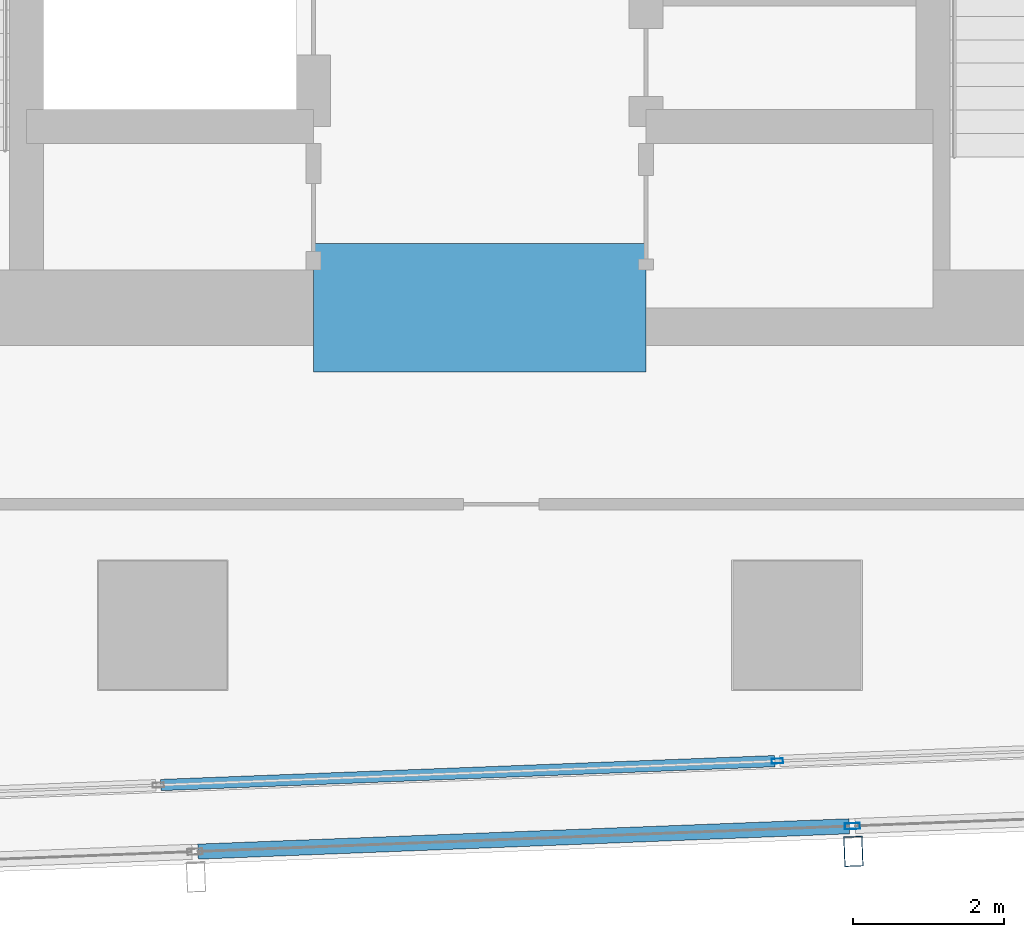
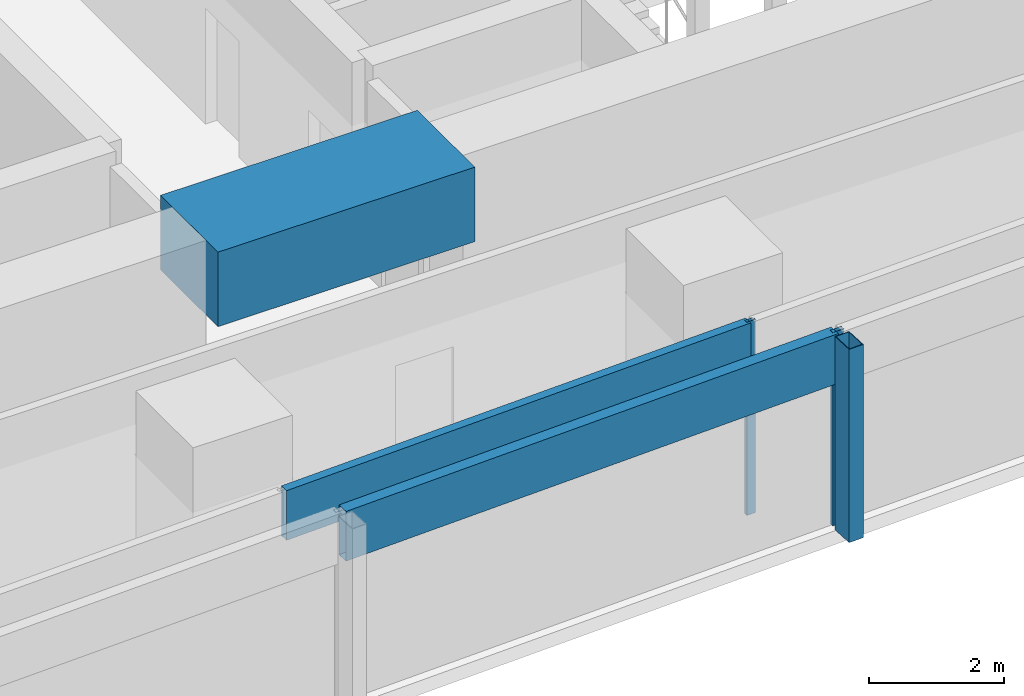
# One storey, part 9 of 40: 5 members, 1 beam, 2 elements without a shape of their own.
"""IFC4 building model written with IfcOpenShell, lengths in metres."""

from ifc_helpers import new_model, si_unit, direction, frame, origin, origin_2d, place, context, subcontext, project, spatial, rectangle, hollow_rectangle, extrude, material, material_profile, profile_set, type_object, element, aggregate, save


model = new_model("IFC4")

# Units and contexts
model_context = context("Model", 3, precision=1e-05, world=origin(), true_north=direction((0.0, 1.0)))
body_context = subcontext(model_context, "Body", "Model", "MODEL_VIEW")
ifc_project = project(units=[si_unit("LENGTHUNIT", "METRE"), si_unit("AREAUNIT", "SQUARE_METRE"), si_unit("VOLUMEUNIT", "CUBIC_METRE"), si_unit("PLANEANGLEUNIT", "RADIAN"), si_unit("MASSUNIT", "GRAM", prefix="KILO")], contexts=[model_context])

# Site, building, storey
site_placement = place(None, origin())
site = spatial("IfcSite", under=ifc_project, at=site_placement, CompositionType="ELEMENT")
building_placement = place(site_placement, origin())
building = spatial("IfcBuilding", under=site, at=building_placement, Name="Rekha Terrace Tower", CompositionType="ELEMENT")
storey_placement = place(building_placement, frame((0.0, 0.0, 106.550048828125)))
storey = spatial("IfcBuildingStorey", under=building, at=storey_placement, Name="L26", CompositionType="ELEMENT", Elevation=106.550048828125)

# Curtain wall, member
ifc_material_1 = material(Name="Aluminium framing", Category="aluminium")
curtain_wall_type_1 = type_object("IfcCurtainWallType", Name="CW2 double skin outer glazing", PredefinedType="USERDEFINED", material=ifc_material_1)
curtain_wall_1_placement = place(storey_placement, origin())
curtain_wall_1 = element("IfcCurtainWall", 1, at=curtain_wall_1_placement, inside=storey, type_object=curtain_wall_type_1, Name="CW2 double skin outer glazing", ObjectType="DOUBLE SKIN OUTER GLAZING", PredefinedType="USERDEFINED")
ifc_material_2 = material(Name="Steel S355 with fluorocarbon finish", Category="steel")
ifc_material_profile_1 = material_profile(ifc_material_2, hollow_rectangle(XDim=0.25, YDim=0.39990234375, WallThickness=0.012451171875, at=origin_2d()), Name="RHS400x250x12.5")
ifc_profile_set_1 = profile_set([ifc_material_profile_1], Name="Steel S355 with fluorocarbon finish")
member_type_1 = type_object("IfcMemberType", Name="BL1 facade blade RHS 400 x 250", PredefinedType="USERDEFINED", material=ifc_profile_set_1)
member_1_placement = place(storey_placement, frame((42.747314453125, 13.802978515625, 0.0), z_axis=(0.0, 0.0, 1.0), x_axis=(0.999243494356, 0.038890088543, 0.0)))
member_1 = element("IfcMember", 2, at=member_1_placement, type_object=member_type_1, Name="Facade blade", ObjectType="FACADE BLADE", PredefinedType="USERDEFINED", context=body_context, shape_type="SweptSolid", body=[
    extrude(hollow_rectangle(XDim=0.25, YDim=0.39990234375, WallThickness=0.012451171875, at=origin_2d()), origin(), (0.0, 0.0, 1.0), 3.5),
])

# Curtain wall, members
curtain_wall_type_2 = type_object("IfcCurtainWallType", Name="CW1 double skin inner glazing", PredefinedType="USERDEFINED", material=ifc_material_1)
curtain_wall_2_placement = place(storey_placement, origin())
curtain_wall_2 = element("IfcCurtainWall", 3, at=curtain_wall_2_placement, inside=storey, type_object=curtain_wall_type_2, Name="CW1 double skin inner glazing", ObjectType="DOUBLE SKIN INNER GLAZING", PredefinedType="USERDEFINED")
ifc_material_3 = material(Name="Aluminium mullion section", Category="aluminium")
ifc_material_profile_2 = material_profile(ifc_material_3, hollow_rectangle(XDim=0.06494140625, YDim=0.14990234375, WallThickness=0.00390625, at=origin_2d()), Name="AL RHS 65x150")
ifc_profile_set_2 = profile_set([ifc_material_profile_2], Name="Aluminium mullion section")
member_type_2 = type_object("IfcMemberType", Name="CW1 mullion RHS 65 x 150", PredefinedType="MULLION", material=ifc_profile_set_2)
member_2_placement = place(storey_placement, frame((41.740234375, 14.999755859375, 0.0), z_axis=(0.0, 0.0, 1.0), x_axis=(-0.038889971345, 0.999243498917, 0.0)))
member_2 = element("IfcMember", 4, at=member_2_placement, type_object=member_type_2, Name="CW1 mullion 3", PredefinedType="MULLION", context=body_context, shape_type="SweptSolid", body=[
    extrude(hollow_rectangle(XDim=0.06494140625, YDim=0.14990234375, WallThickness=0.00390625, at=origin_2d()), origin(), (0.0, 0.0, 1.0), 3.5),
])
ifc_material_4 = material(Name="Insulated aluminium spandrel box", Category="aluminium")
ifc_material_profile_3 = material_profile(ifc_material_4, hollow_rectangle(XDim=0.14990234375, YDim=0.89990234375, WallThickness=0.0029296875, at=origin_2d()), Name="AL SPANDREL BOX 150x900")
ifc_profile_set_3 = profile_set([ifc_material_profile_3], Name="Insulated aluminium spandrel box")
member_type_3 = type_object("IfcMemberType", Name="CW1 spandrel transom 150 x 900", PredefinedType="USERDEFINED", material=ifc_profile_set_3)
member_3_placement = place(storey_placement, frame((33.576416015625, 14.68212890625, 3.050048828125), z_axis=(0.999243790362, 0.038882482205, 0.0), x_axis=(-0.038882482205, 0.999243790362, 0.0)))
member_3 = element("IfcMember", 5, at=member_3_placement, type_object=member_type_3, Name="CW1 spandrel transom 2", ObjectType="TRANSOM", PredefinedType="USERDEFINED", context=body_context, shape_type="SweptSolid", body=[
    extrude(hollow_rectangle(XDim=0.14990234375, YDim=0.89990234375, WallThickness=0.0029296875, at=origin_2d()), origin(), (0.0, 0.0, 1.0), 8.137451171875),
])
aggregate(curtain_wall_2, [member_2, member_3])

# Member
ifc_material_profile_4 = material_profile(ifc_material_3, hollow_rectangle(XDim=0.080078125, YDim=0.199951171875, WallThickness=0.00390625, at=origin_2d()), Name="AL RHS 80x200")
ifc_profile_set_4 = profile_set([ifc_material_profile_4], Name="Aluminium mullion section")
member_type_4 = type_object("IfcMemberType", Name="CW2 mullion RHS 80 x 200", PredefinedType="MULLION", material=ifc_profile_set_4)
member_4_placement = place(storey_placement, frame((42.734130859375, 14.137939453125, 0.0), z_axis=(0.0, 0.0, 1.0), x_axis=(-0.038889971345, 0.999243498917, 0.0)))
member_4 = element("IfcMember", 6, at=member_4_placement, type_object=member_type_4, Name="CW2 mullion 3", PredefinedType="MULLION", context=body_context, shape_type="SweptSolid", body=[
    extrude(hollow_rectangle(XDim=0.080078125, YDim=0.199951171875, WallThickness=0.00390625, at=origin_2d()), origin(), (0.0, 0.0, 1.0), 3.5),
])

ifc_material_profile_5 = material_profile(ifc_material_4, hollow_rectangle(XDim=0.199951171875, YDim=0.89990234375, WallThickness=0.0029296875, at=origin_2d()), Name="AL SPANDREL BOX 200x900")
ifc_profile_set_5 = profile_set([ifc_material_profile_5], Name="Insulated aluminium spandrel box")
member_type_5 = type_object("IfcMemberType", Name="CW2 spandrel transom 200 x 900", PredefinedType="USERDEFINED", material=ifc_profile_set_5)
member_5_placement = place(storey_placement, frame((34.069091796875, 13.800537109375, 3.050048828125), z_axis=(0.999243438523, 0.038891523097, 0.0), x_axis=(-0.038891523097, 0.999243438523, 0.0)))
member_5 = element("IfcMember", 7, at=member_5_placement, type_object=member_type_5, Name="CW2 spandrel transom 2", ObjectType="TRANSOM", PredefinedType="USERDEFINED", context=body_context, shape_type="SweptSolid", body=[
    extrude(hollow_rectangle(XDim=0.199951171875, YDim=0.89990234375, WallThickness=0.0029296875, at=origin_2d()), origin(), (0.0, 0.0, 1.0), 8.631591796875),
])

aggregate(curtain_wall_1, [member_4, member_5, member_1])

# Beam
ifc_material_5 = material(Name="Concrete M70", Category="concrete")
ifc_material_profile_6 = material_profile(ifc_material_5, rectangle(XDim=1.699951171875, YDim=1.35009765625, at=origin_2d()), Name="RC 1700x1350")
ifc_profile_set_6 = profile_set([ifc_material_profile_6], Name="Concrete M70")
beam_type = type_object("IfcBeamType", Name="LB2A 1700x1350 diagonally reinforced coupling beam", PredefinedType="LINTEL", material=ifc_profile_set_6)
beam_placement = place(storey_placement, frame((35.60009765625, 21.0, 3.074951171875), z_axis=(1.0, 0.0, 0.0), x_axis=(0.0, 1.0, 0.0)))
element("IfcBeam", 8, at=beam_placement, inside=storey, type_object=beam_type, Name="Coupling beam LB2A S L26", PredefinedType="LINTEL", context=body_context, shape_type="SweptSolid", body=[
    extrude(rectangle(XDim=1.699951171875, YDim=1.35009765625, at=origin_2d()), origin(), (0.0, 0.0, 1.0), 4.39990234375),
])

save(model, "model.ifc")
